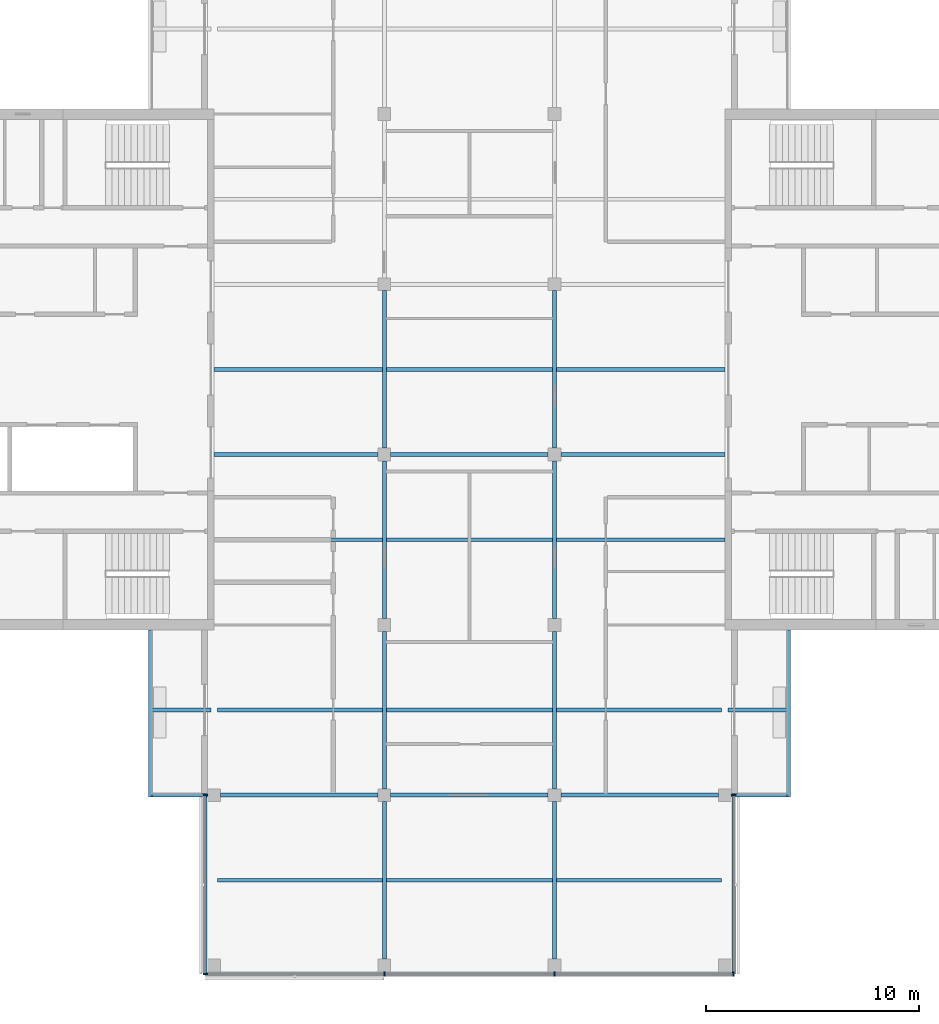
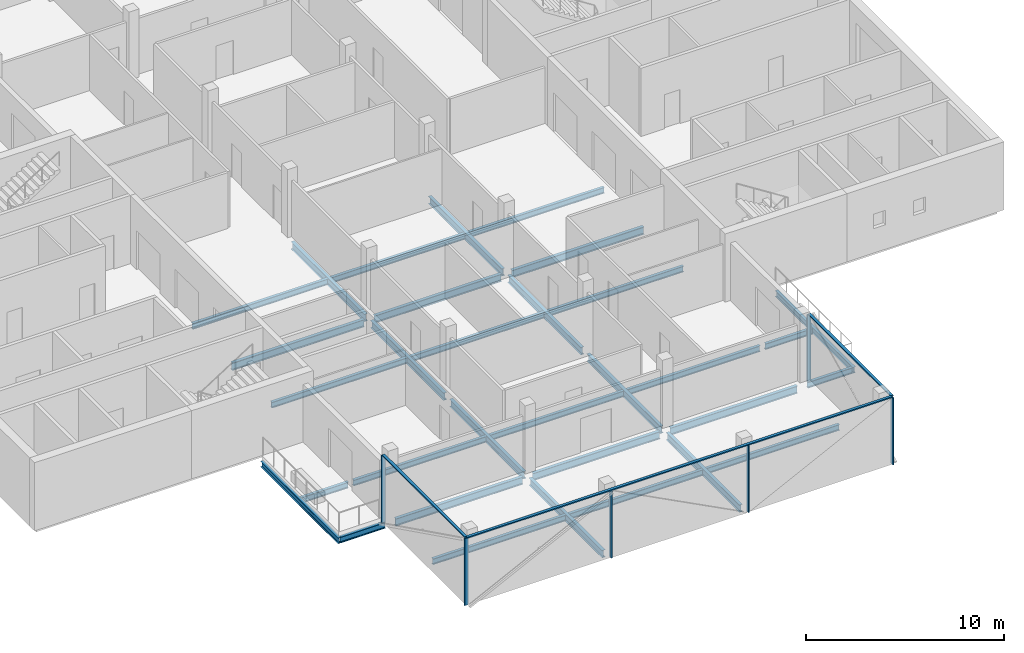
# One storey, part 2 of 12: 32 beams, 9 members, 3 elements without a shape of their own.
"""IFC4 building model written with IfcOpenShell, lengths in metres."""

from ifc_helpers import new_model, si_unit, direction, frame, origin, origin_2d, place, context, subcontext, project, spatial, rectangle, i_section, extrude, material, material_profile, profile_set, type_object, element, aggregate, save


model = new_model("IFC4")

# Units and contexts
model_context = context("Model", 3, precision=1e-05, world=origin(), true_north=direction((0.0, 1.0)))
body_context = subcontext(model_context, "Body", "Model", "MODEL_VIEW")
ifc_project = project(units=[si_unit("LENGTHUNIT", "METRE"), si_unit("AREAUNIT", "SQUARE_METRE"), si_unit("VOLUMEUNIT", "CUBIC_METRE"), si_unit("PLANEANGLEUNIT", "RADIAN"), si_unit("MASSUNIT", "GRAM", prefix="KILO")], contexts=[model_context])

# Site, building, storey
site_placement = place(None, origin())
site = spatial("IfcSite", under=ifc_project, at=site_placement, CompositionType="ELEMENT")
building_placement = place(site_placement, origin())
building = spatial("IfcBuilding", under=site, at=building_placement, Name="Crosswind Convention Tower", CompositionType="ELEMENT")
storey_placement = place(building_placement, frame((0.0, 0.0, 311.300048828125)))
storey = spatial("IfcBuildingStorey", under=building, at=storey_placement, Name="L67", CompositionType="ELEMENT", Elevation=311.300048828125)

# Beams
ifc_material_1 = material(Name="Steel S355", Category="steel")
ifc_material_profile_1 = material_profile(ifc_material_1, i_section(OverallWidth=0.172119140625, OverallDepth=0.358642578125, WebThickness=0.008056640625, FlangeThickness=0.012939453125, FilletRadius=0.01025390625, at=origin_2d()), Name="UB 356x171x57")
ifc_profile_set_1 = profile_set([ifc_material_profile_1], Name="Steel S355")
beam_type_1 = type_object("IfcBeamType", Name="Balcony cantilever UB 356x171x57", PredefinedType="BEAM", material=ifc_profile_set_1)
beam_1_placement = place(storey_placement, frame((112.8447265625, 84.0, -0.479248046875), z_axis=(-1.0, 0.0, 0.0), x_axis=(0.0, -1.0, 0.0)))
element("IfcBeam", 1, at=beam_1_placement, inside=storey, type_object=beam_type_1, Name="B34 L67 balcony cantilever SW 7", PredefinedType="BEAM", context=body_context, shape_type="SweptSolid", body=[
    extrude(i_section(OverallWidth=0.172119140625, OverallDepth=0.358642578125, WebThickness=0.008056640625, FlangeThickness=0.012939453125, FilletRadius=0.01025390625, at=origin_2d()), origin(), (0.0, 0.0, 1.0), 2.759033203125),
])
beam_2_placement = place(storey_placement, frame((112.699951171875, 80.0, -0.479248046875), z_axis=(-1.0, 0.0, 0.0), x_axis=(0.0, -1.0, 0.0)))
element("IfcBeam", 2, at=beam_2_placement, inside=storey, type_object=beam_type_1, Name="B34 L67 balcony cantilever SW 8", PredefinedType="BEAM", context=body_context, shape_type="SweptSolid", body=[
    extrude(i_section(OverallWidth=0.172119140625, OverallDepth=0.358642578125, WebThickness=0.008056640625, FlangeThickness=0.012939453125, FilletRadius=0.01025390625, at=origin_2d()), origin(), (0.0, 0.0, 1.0), 2.6142578125),
])
beam_3_placement = place(storey_placement, frame((137.1552734375, 84.0, -0.479248046875), z_axis=(1.0, 0.0, 0.0), x_axis=(0.0, 1.0, 0.0)))
element("IfcBeam", 3, at=beam_3_placement, inside=storey, type_object=beam_type_1, Name="B34 L67 balcony cantilever SE 10", PredefinedType="BEAM", context=body_context, shape_type="SweptSolid", body=[
    extrude(i_section(OverallWidth=0.172119140625, OverallDepth=0.358642578125, WebThickness=0.008056640625, FlangeThickness=0.012939453125, FilletRadius=0.01025390625, at=origin_2d()), origin(), (0.0, 0.0, 1.0), 2.759033203125),
])
beam_4_placement = place(storey_placement, frame((137.300048828125, 80.0, -0.479248046875), z_axis=(1.0, 0.0, 0.0), x_axis=(0.0, 1.0, 0.0)))
element("IfcBeam", 4, at=beam_4_placement, inside=storey, type_object=beam_type_1, Name="B34 L67 balcony cantilever SE 11", PredefinedType="BEAM", context=body_context, shape_type="SweptSolid", body=[
    extrude(i_section(OverallWidth=0.172119140625, OverallDepth=0.358642578125, WebThickness=0.008056640625, FlangeThickness=0.012939453125, FilletRadius=0.01025390625, at=origin_2d()), origin(), (0.0, 0.0, 1.0), 2.6142578125),
])
ifc_material_profile_2 = material_profile(ifc_material_1, i_section(OverallWidth=0.17138671875, OverallDepth=0.355712890625, WebThickness=0.00732421875, FlangeThickness=0.011474609375, FilletRadius=0.01025390625, at=origin_2d()), Name="UB 356x171x51")
ifc_profile_set_2 = profile_set([ifc_material_profile_2], Name="Steel S355")
beam_type_2 = type_object("IfcBeamType", Name="Balcony edge beam UB 356x171x51", PredefinedType="BEAM", material=ifc_profile_set_2)
for number, where, z_axis, x_axis, name in (
    (5, (110.0, 87.75, -0.477783203125), (0.0, -1.0, 0.0), (1.0, 0.0, 0.0), "B38 L67 balcony edge beam SW 9"),
    (6, (140.0, 87.75, -0.477783203125), (0.0, -1.0, 0.0), (1.0, 0.0, 0.0), "B38 L67 balcony edge beam SE 12"),
):
    element("IfcBeam", number, at=place(storey_placement, frame(where, z_axis=z_axis, x_axis=x_axis)), inside=storey, type_object=beam_type_2, Name=name, PredefinedType="BEAM", context=body_context, shape_type="SweptSolid", body=[
        extrude(i_section(OverallWidth=0.17138671875, OverallDepth=0.355712890625, WebThickness=0.00732421875, FlangeThickness=0.011474609375, FilletRadius=0.01025390625, at=origin_2d()), origin(), (0.0, 0.0, 1.0), 7.8359375),
    ])
ifc_material_profile_3 = material_profile(ifc_material_1, i_section(OverallWidth=0.18994140625, OverallDepth=0.45361328125, WebThickness=0.008544921875, FlangeThickness=0.0126953125, FilletRadius=0.01025390625, at=origin_2d()), Name="UB 457x191x67")
ifc_profile_set_3 = profile_set([ifc_material_profile_3], Name="Steel S355")
beam_type_3 = type_object("IfcBeamType", Name="Girder UB 457x191x67", PredefinedType="BEAM", material=ifc_profile_set_3)
for number, where, z_axis, x_axis, name in (
    (7, (113.300048828125, 80.0, -0.52685546875), (1.0, 0.0, 0.0), (0.0, 1.0, 0.0), "B1 L67 girder 1"),
    (8, (121.0, 72.300048828125, -0.52685546875), (0.0, 1.0, 0.0), (-1.0, 0.0, 0.0), "B1 L67 girder 3"),
    (9, (121.0, 80.300048828125, -0.52685546875), (0.0, 1.0, 0.0), (-1.0, 0.0, 0.0), "B1 L67 girder 4"),
    (10, (121.0, 88.300048828125, -0.52685546875), (0.0, 1.0, 0.0), (-1.0, 0.0, 0.0), "B1 L67 girder 5"),
    (11, (121.0, 96.300048828125, -0.52685546875), (0.0, 1.0, 0.0), (-1.0, 0.0, 0.0), "B1 L67 girder 6"),
    (12, (121.300048828125, 80.0, -0.52685546875), (1.0, 0.0, 0.0), (0.0, 1.0, 0.0), "B1 L67 girder 10"),
    (13, (121.300048828125, 96.0, -0.52685546875), (1.0, 0.0, 0.0), (0.0, 1.0, 0.0), "B1 L67 girder 11"),
    (14, (129.0, 72.300048828125, -0.52685546875), (0.0, 1.0, 0.0), (-1.0, 0.0, 0.0), "B1 L67 girder 14"),
    (15, (129.0, 80.300048828125, -0.52685546875), (0.0, 1.0, 0.0), (-1.0, 0.0, 0.0), "B1 L67 girder 15"),
    (16, (129.0, 88.300048828125, -0.52685546875), (0.0, 1.0, 0.0), (-1.0, 0.0, 0.0), "B1 L67 girder 16"),
    (17, (129.0, 96.300048828125, -0.52685546875), (0.0, 1.0, 0.0), (-1.0, 0.0, 0.0), "B1 L67 girder 17"),
    (18, (129.300048828125, 80.0, -0.52685546875), (1.0, 0.0, 0.0), (0.0, 1.0, 0.0), "B1 L67 girder 21"),
):
    element("IfcBeam", number, at=place(storey_placement, frame(where, z_axis=z_axis, x_axis=x_axis)), inside=storey, type_object=beam_type_3, Name=name, PredefinedType="BEAM", context=body_context, shape_type="SweptSolid", body=[
        extrude(i_section(OverallWidth=0.18994140625, OverallDepth=0.45361328125, WebThickness=0.008544921875, FlangeThickness=0.0126953125, FilletRadius=0.01025390625, at=origin_2d()), origin(), (0.0, 0.0, 1.0), 7.39990234375),
    ])
ifc_material_profile_4 = material_profile(ifc_material_1, i_section(OverallWidth=0.1904296875, OverallDepth=0.457275390625, WebThickness=0.009033203125, FlangeThickness=0.014404296875, FilletRadius=0.01025390625, at=origin_2d()), Name="UB 457x191x75")
ifc_profile_set_4 = profile_set([ifc_material_profile_4], Name="Steel S355")
beam_type_4 = type_object("IfcBeamType", Name="Girder at core wall UB 457x191x75", PredefinedType="BEAM", material=ifc_profile_set_4)
for number, where, z_axis, x_axis, name in (
    (19, (113.0, 96.0, -0.528564453125), (1.0, 0.0, 0.0), (0.0, 1.0, 0.0), "B22 L67 girder at core wall 1"),
    (20, (129.300048828125, 96.0, -0.528564453125), (1.0, 0.0, 0.0), (0.0, 1.0, 0.0), "B22 L67 girder at core wall 3"),
):
    element("IfcBeam", number, at=place(storey_placement, frame(where, z_axis=z_axis, x_axis=x_axis)), inside=storey, type_object=beam_type_4, Name=name, PredefinedType="BEAM", context=body_context, shape_type="SweptSolid", body=[
        extrude(i_section(OverallWidth=0.1904296875, OverallDepth=0.457275390625, WebThickness=0.009033203125, FlangeThickness=0.014404296875, FilletRadius=0.01025390625, at=origin_2d()), origin(), (0.0, 0.0, 1.0), 7.699951171875),
    ])

# Curtain wall, members
ifc_material_2 = material(Name="Aluminium unitised curtain wall", Category="aluminium")
curtain_wall_type = type_object("IfcCurtainWallType", Name="OFFICE UNITISED WALL 220", PredefinedType="USERDEFINED", material=ifc_material_2)
curtain_wall_1_placement = place(storey_placement, origin())
curtain_wall_1 = element("IfcCurtainWall", 21, at=curtain_wall_1_placement, inside=storey, type_object=curtain_wall_type, Name="CW3 L67 S-W 1", ObjectType="UNITISED", PredefinedType="USERDEFINED")
ifc_material_3 = material(Name="Aluminium mullion", Category="aluminium")
ifc_material_profile_5 = material_profile(ifc_material_3, rectangle(XDim=0.219970703125, YDim=0.070068359375, at=origin_2d()), Name="AL 220X70")
ifc_profile_set_5 = profile_set([ifc_material_profile_5], Name="Aluminium mullion")
member_type_1 = type_object("IfcMemberType", Name="MULLION 70X220", PredefinedType="MULLION", material=ifc_profile_set_5)
member_1_placement = place(storey_placement, frame((112.590087890625, 80.0, -0.300048828125), z_axis=(0.0, 0.0, 1.0), x_axis=(-1.0, 0.0, 0.0)))
member_1 = element("IfcMember", 22, at=member_1_placement, type_object=member_type_1, Name="CW3 mullion 1", PredefinedType="MULLION", context=body_context, shape_type="SweptSolid", body=[
    extrude(rectangle(XDim=0.219970703125, YDim=0.070068359375, at=origin_2d()), origin(), (0.0, 0.0, 1.0), 4.1298828125),
])
member_2_placement = place(storey_placement, frame((112.590087890625, 71.590087890625, -0.300048828125), z_axis=(0.0, 0.0, 1.0), x_axis=(-1.0, 0.0, 0.0)))
member_2 = element("IfcMember", 23, at=member_2_placement, type_object=member_type_1, Name="CW3 mullion 2", PredefinedType="MULLION", context=body_context, shape_type="SweptSolid", body=[
    extrude(rectangle(XDim=0.219970703125, YDim=0.070068359375, at=origin_2d()), origin(), (0.0, 0.0, 1.0), 4.1298828125),
])

curtain_wall_2_placement = place(storey_placement, origin())
curtain_wall_2 = element("IfcCurtainWall", 24, at=curtain_wall_2_placement, inside=storey, type_object=curtain_wall_type, Name="CW3 L67 S-TIP 1", ObjectType="UNITISED", PredefinedType="USERDEFINED")
member_3_placement = place(storey_placement, frame((121.0, 71.590087890625, -0.300048828125), z_axis=(0.0, 0.0, 1.0), x_axis=(0.0, -1.0, 0.0)))
member_3 = element("IfcMember", 25, at=member_3_placement, type_object=member_type_1, Name="CW3 mullion 2", PredefinedType="MULLION", context=body_context, shape_type="SweptSolid", body=[
    extrude(rectangle(XDim=0.219970703125, YDim=0.070068359375, at=origin_2d()), origin(), (0.0, 0.0, 1.0), 4.1298828125),
])
member_4_placement = place(storey_placement, frame((129.0, 71.590087890625, -0.300048828125), z_axis=(0.0, 0.0, 1.0), x_axis=(0.0, -1.0, 0.0)))
member_4 = element("IfcMember", 26, at=member_4_placement, type_object=member_type_1, Name="CW3 mullion 3", PredefinedType="MULLION", context=body_context, shape_type="SweptSolid", body=[
    extrude(rectangle(XDim=0.219970703125, YDim=0.070068359375, at=origin_2d()), origin(), (0.0, 0.0, 1.0), 4.1298828125),
])
member_5_placement = place(storey_placement, frame((137.409912109375, 71.590087890625, -0.300048828125), z_axis=(0.0, 0.0, 1.0), x_axis=(0.0, -1.0, 0.0)))
member_5 = element("IfcMember", 27, at=member_5_placement, type_object=member_type_1, Name="CW3 mullion 4", PredefinedType="MULLION", context=body_context, shape_type="SweptSolid", body=[
    extrude(rectangle(XDim=0.219970703125, YDim=0.070068359375, at=origin_2d()), origin(), (0.0, 0.0, 1.0), 4.1298828125),
])

# Curtain wall, member
curtain_wall_3_placement = place(storey_placement, origin())
curtain_wall_3 = element("IfcCurtainWall", 28, at=curtain_wall_3_placement, inside=storey, type_object=curtain_wall_type, Name="CW3 L67 S-E 1", ObjectType="UNITISED", PredefinedType="USERDEFINED")
member_6_placement = place(storey_placement, frame((137.409912109375, 80.0, -0.300048828125), z_axis=(0.0, 0.0, 1.0), x_axis=(1.0, 0.0, 0.0)))
member_6 = element("IfcMember", 29, at=member_6_placement, type_object=member_type_1, Name="CW3 mullion 2", PredefinedType="MULLION", context=body_context, shape_type="SweptSolid", body=[
    extrude(rectangle(XDim=0.219970703125, YDim=0.070068359375, at=origin_2d()), origin(), (0.0, 0.0, 1.0), 4.1298828125),
])

# Beams
ifc_material_profile_6 = material_profile(ifc_material_1, i_section(OverallWidth=0.17138671875, OverallDepth=0.355712890625, WebThickness=0.00732421875, FlangeThickness=0.011474609375, FilletRadius=0.01025390625, at=origin_2d()), Name="UB 356x171x51")
ifc_profile_set_6 = profile_set([ifc_material_profile_6], Name="Steel S355")
beam_type_5 = type_object("IfcBeamType", Name="Secondary beam UB 356x171x51", PredefinedType="JOIST", material=ifc_profile_set_6)
for number, where, z_axis, x_axis, name in (
    (30, (113.0, 92.0, -0.477783203125), (1.0, 0.0, 0.0), (0.0, 1.0, 0.0), "B8 L67 secondary beam 1"),
    (31, (113.0, 100.0, -0.477783203125), (1.0, 0.0, 0.0), (0.0, 1.0, 0.0), "B8 L67 secondary beam 2"),
):
    element("IfcBeam", number, at=place(storey_placement, frame(where, z_axis=z_axis, x_axis=x_axis)), inside=storey, type_object=beam_type_5, Name=name, PredefinedType="JOIST", context=body_context, shape_type="SweptSolid", body=[
        extrude(i_section(OverallWidth=0.17138671875, OverallDepth=0.355712890625, WebThickness=0.00732421875, FlangeThickness=0.011474609375, FilletRadius=0.01025390625, at=origin_2d()), origin(), (0.0, 0.0, 1.0), 7.905029296875),
    ])
for number, where, z_axis, x_axis, name in (
    (32, (113.1552734375, 76.0, -0.477783203125), (1.0, 0.0, 0.0), (0.0, 1.0, 0.0), "B8 L67 secondary beam 4"),
    (33, (113.1552734375, 84.0, -0.477783203125), (1.0, 0.0, 0.0), (0.0, 1.0, 0.0), "B8 L67 secondary beam 5"),
):
    element("IfcBeam", number, at=place(storey_placement, frame(where, z_axis=z_axis, x_axis=x_axis)), inside=storey, type_object=beam_type_5, Name=name, PredefinedType="JOIST", context=body_context, shape_type="SweptSolid", body=[
        extrude(i_section(OverallWidth=0.17138671875, OverallDepth=0.355712890625, WebThickness=0.00732421875, FlangeThickness=0.011474609375, FilletRadius=0.01025390625, at=origin_2d()), origin(), (0.0, 0.0, 1.0), 7.749755859375),
    ])
for number, where, z_axis, x_axis, name in (
    (34, (121.094970703125, 76.0, -0.477783203125), (1.0, 0.0, 0.0), (0.0, 1.0, 0.0), "B8 L67 secondary beam 8"),
    (35, (121.094970703125, 84.0, -0.477783203125), (1.0, 0.0, 0.0), (0.0, 1.0, 0.0), "B8 L67 secondary beam 9"),
    (36, (121.094970703125, 92.0, -0.477783203125), (1.0, 0.0, 0.0), (0.0, 1.0, 0.0), "B8 L67 secondary beam 10"),
    (37, (121.094970703125, 100.0, -0.477783203125), (1.0, 0.0, 0.0), (0.0, 1.0, 0.0), "B8 L67 secondary beam 11"),
):
    element("IfcBeam", number, at=place(storey_placement, frame(where, z_axis=z_axis, x_axis=x_axis)), inside=storey, type_object=beam_type_5, Name=name, PredefinedType="JOIST", context=body_context, shape_type="SweptSolid", body=[
        extrude(i_section(OverallWidth=0.17138671875, OverallDepth=0.355712890625, WebThickness=0.00732421875, FlangeThickness=0.011474609375, FilletRadius=0.01025390625, at=origin_2d()), origin(), (0.0, 0.0, 1.0), 7.81005859375),
    ])
for number, where, z_axis, x_axis, name in (
    (38, (129.094970703125, 76.0, -0.477783203125), (1.0, 0.0, 0.0), (0.0, 1.0, 0.0), "B8 L67 secondary beam 15"),
    (39, (129.094970703125, 84.0, -0.477783203125), (1.0, 0.0, 0.0), (0.0, 1.0, 0.0), "B8 L67 secondary beam 16"),
):
    element("IfcBeam", number, at=place(storey_placement, frame(where, z_axis=z_axis, x_axis=x_axis)), inside=storey, type_object=beam_type_5, Name=name, PredefinedType="JOIST", context=body_context, shape_type="SweptSolid", body=[
        extrude(i_section(OverallWidth=0.17138671875, OverallDepth=0.355712890625, WebThickness=0.00732421875, FlangeThickness=0.011474609375, FilletRadius=0.01025390625, at=origin_2d()), origin(), (0.0, 0.0, 1.0), 7.749755859375),
    ])
for number, where, z_axis, x_axis, name in (
    (40, (129.094970703125, 92.0, -0.477783203125), (1.0, 0.0, 0.0), (0.0, 1.0, 0.0), "B8 L67 secondary beam 17"),
    (41, (129.094970703125, 100.0, -0.477783203125), (1.0, 0.0, 0.0), (0.0, 1.0, 0.0), "B8 L67 secondary beam 18"),
):
    element("IfcBeam", number, at=place(storey_placement, frame(where, z_axis=z_axis, x_axis=x_axis)), inside=storey, type_object=beam_type_5, Name=name, PredefinedType="JOIST", context=body_context, shape_type="SweptSolid", body=[
        extrude(i_section(OverallWidth=0.17138671875, OverallDepth=0.355712890625, WebThickness=0.00732421875, FlangeThickness=0.011474609375, FilletRadius=0.01025390625, at=origin_2d()), origin(), (0.0, 0.0, 1.0), 7.905029296875),
    ])

# Member
ifc_material_4 = material(Name="Aluminium transom", Category="aluminium")
ifc_material_profile_7 = material_profile(ifc_material_4, rectangle(XDim=0.159912109375, YDim=0.070068359375, at=origin_2d()), Name="AL 160X70")
ifc_profile_set_7 = profile_set([ifc_material_profile_7], Name="Aluminium transom")
member_type_2 = type_object("IfcMemberType", Name="TRANSOM 70X160", PredefinedType="USERDEFINED", material=ifc_profile_set_7)
member_7_placement = place(storey_placement, frame((112.590087890625, 79.965087890625, 3.864990234375), z_axis=(0.0, -1.0, 0.0), x_axis=(1.0, 0.0, 0.0)))
member_7 = element("IfcMember", 42, at=member_7_placement, type_object=member_type_2, Name="CW3 transom", ObjectType="TRANSOM", PredefinedType="USERDEFINED", context=body_context, shape_type="SweptSolid", body=[
    extrude(rectangle(XDim=0.159912109375, YDim=0.070068359375, at=origin_2d()), origin(), (0.0, 0.0, 1.0), 8.340087890625),
])

aggregate(curtain_wall_1, [member_1, member_2, member_7])

member_8_placement = place(storey_placement, frame((112.625, 71.590087890625, 3.864990234375), z_axis=(1.0, 0.0, 0.0), x_axis=(0.0, 1.0, 0.0)))
member_8 = element("IfcMember", 43, at=member_8_placement, type_object=member_type_2, Name="CW3 transom", ObjectType="TRANSOM", PredefinedType="USERDEFINED", context=body_context, shape_type="SweptSolid", body=[
    extrude(rectangle(XDim=0.159912109375, YDim=0.070068359375, at=origin_2d()), origin(), (0.0, 0.0, 1.0), 24.75),
])

aggregate(curtain_wall_2, [member_3, member_4, member_5, member_8])

member_9_placement = place(storey_placement, frame((137.409912109375, 71.625, 3.864990234375), z_axis=(0.0, 1.0, 0.0), x_axis=(-1.0, 0.0, 0.0)))
member_9 = element("IfcMember", 44, at=member_9_placement, type_object=member_type_2, Name="CW3 transom", ObjectType="TRANSOM", PredefinedType="USERDEFINED", context=body_context, shape_type="SweptSolid", body=[
    extrude(rectangle(XDim=0.159912109375, YDim=0.070068359375, at=origin_2d()), origin(), (0.0, 0.0, 1.0), 8.340087890625),
])

aggregate(curtain_wall_3, [member_6, member_9])

save(model, "model.ifc")
